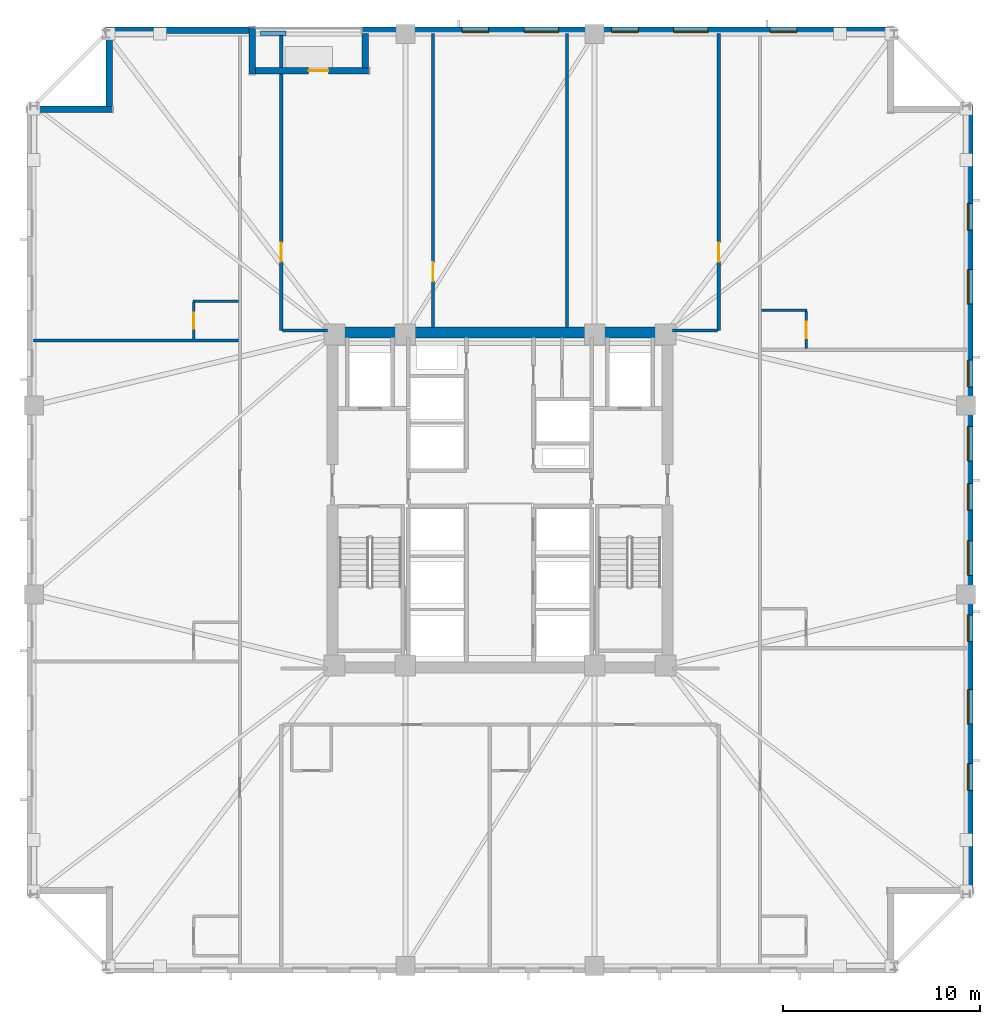
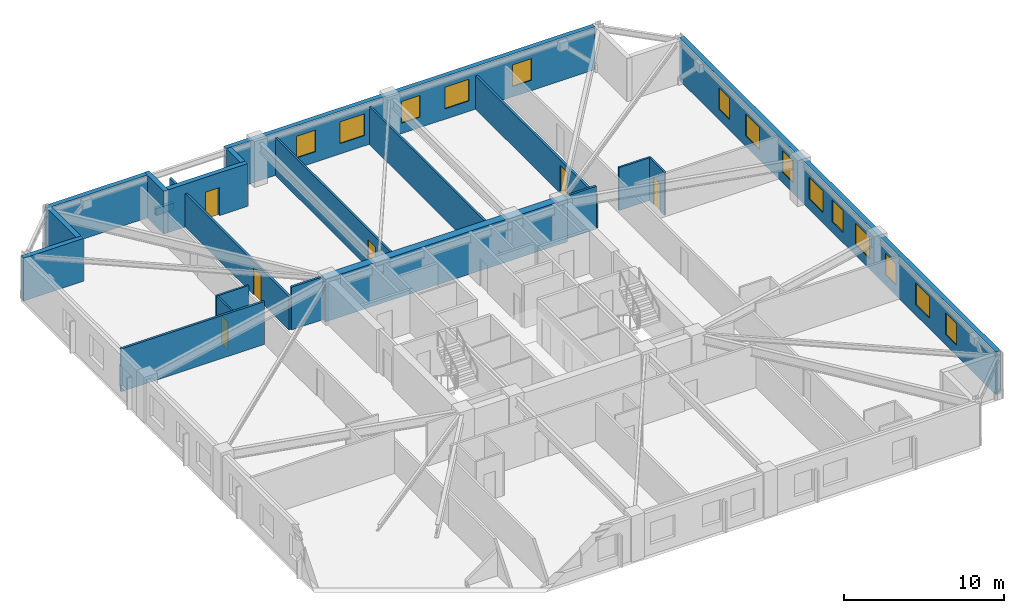
# One storey, part 5 of 11: 21 walls, 14 windows, 6 doors, 20 openings.
"""IFC4 building model written with IfcOpenShell, lengths in metres."""

from ifc_helpers import new_model, si_unit, direction, frame, frame_2d, origin, place, context, subcontext, project, spatial, rectangle, extrude, material, layer, layer_set, type_object, element, fill, save


model = new_model("IFC4")

# Units and contexts
model_context = context("Model", 3, precision=1e-05, world=origin(), true_north=direction((0.0, 1.0)))
body_context = subcontext(model_context, "Body", "Model", "MODEL_VIEW")
ifc_project = project(units=[si_unit("LENGTHUNIT", "METRE"), si_unit("AREAUNIT", "SQUARE_METRE"), si_unit("VOLUMEUNIT", "CUBIC_METRE"), si_unit("PLANEANGLEUNIT", "RADIAN"), si_unit("MASSUNIT", "GRAM", prefix="KILO")], contexts=[model_context])

# Site, building, storey
site_placement = place(None, origin())
site = spatial("IfcSite", under=ifc_project, at=site_placement, CompositionType="ELEMENT")
building_placement = place(site_placement, origin())
building = spatial("IfcBuilding", under=site, at=building_placement, Name="Cairnveth Concourse Tower", CompositionType="ELEMENT")
storey_placement = place(building_placement, frame((0.0, 0.0, 106.0)))
storey = spatial("IfcBuildingStorey", under=building, at=storey_placement, Name="L28", CompositionType="ELEMENT", Elevation=106.0)

# Wall, opening, door
ifc_material_1 = material(Name="Gypsum Plasterboard Partition", Category="gypsum")
ifc_layer_1 = layer(ifc_material_1, 0.159912109375)
ifc_layer_set_1 = layer_set([ifc_layer_1], Name="Gypsum Plasterboard Partition")
wall_type_1 = type_object("IfcWallType", Name="ACOUSTIC PARTY WALL 180", PredefinedType="PARTITIONING", material=ifc_layer_set_1)
wall_1_placement = place(storey_placement, frame((40.89990234375, 47.60009765625, 0.0), z_axis=(0.0, 0.0, 1.0), x_axis=(0.0, 1.0, 0.0)))
wall_1 = element("IfcWall", 1, at=wall_1_placement, inside=storey, type_object=wall_type_1, Name="Interior Wall IW-L28-040", PredefinedType="PARTITIONING", context=body_context, shape_type="SweptSolid", body=[
    extrude(rectangle(XDim=14.98486328125, YDim=0.159912109375, at=frame_2d((7.492431640625, 0.0))), origin(), (0.0, 0.0, 1.0), 2.554931640625),
])
opening_1_placement = place(wall_1_placement, frame((3.5, 0.0, 0.0)))
opening_1 = element("IfcOpeningElement", 2, at=opening_1_placement, cuts=wall_1, Name="Opening ID11", PredefinedType="OPENING", context=body_context, shape_type="SweptSolid", body=[
    extrude(rectangle(XDim=0.9599609375, YDim=2.1201171875, at=frame_2d((0.47998046875, 1.06005859375))), frame((0.0, 0.08984375, 0.0), z_axis=(0.0, -1.0, 0.0), x_axis=(1.0, 0.0, 0.0)), (0.0, 0.0, 1.0), 0.179931640625),
])
ifc_material_2 = material(Name="Solid Core Hardwood Timber Leaf", Category="wood")
door_type_1 = type_object("IfcDoorType", Name="INTERIOR SINGLE DOOR 960X2150", OperationType="NOTDEFINED", PredefinedType="DOOR", material=ifc_material_2)
door_1_placement = place(opening_1_placement, origin())
door_1 = element("IfcDoor", 3, at=door_1_placement, inside=storey, type_object=door_type_1, Name="Interior Door DR-L28-014", OperationType="SINGLE_SWING_RIGHT", OverallHeight=2.1201171875, OverallWidth=0.9599609375, PredefinedType="DOOR", context=body_context, shape_type="SweptSolid", body=[
    extrude(rectangle(XDim=0.9599609375, YDim=2.1201171875, at=frame_2d((0.47998046875, 1.06005859375))), frame((0.0, 0.02490234375, 0.0), z_axis=(0.0, -1.0, 0.0), x_axis=(1.0, 0.0, 0.0)), (0.0, 0.0, 1.0), 0.050048828125),
])
fill(opening_1, door_1)

# Wall
wall_2_placement = place(storey_placement, frame((40.965087890625, 47.60009765625, 0.0), z_axis=(0.0, 0.0, 1.0), x_axis=(1.0, 0.0, 0.0)))
element("IfcWall", 4, at=wall_2_placement, inside=storey, type_object=wall_type_1, Name="Interior Wall IW-L28-042", PredefinedType="PARTITIONING", context=body_context, shape_type="SweptSolid", body=[
    extrude(rectangle(XDim=2.27001953125, YDim=0.159912109375, at=frame_2d((1.135009765625, 0.0))), origin(), (0.0, 0.0, 1.0), 3.280029296875),
])

# Wall, opening, door
wall_3_placement = place(storey_placement, frame((63.10009765625, 47.60009765625, 0.0), z_axis=(0.0, 0.0, 1.0), x_axis=(0.0, 1.0, 0.0)))
wall_3 = element("IfcWall", 5, at=wall_3_placement, inside=storey, type_object=wall_type_1, Name="Interior Wall IW-L28-045", PredefinedType="PARTITIONING", context=body_context, shape_type="SweptSolid", body=[
    extrude(rectangle(XDim=15.074951171875, YDim=0.159912109375, at=frame_2d((7.53759765625, 0.0))), origin(), (0.0, 0.0, 1.0), 2.554931640625),
])
opening_2_placement = place(wall_3_placement, frame((3.5, 0.0, 0.0)))
opening_2 = element("IfcOpeningElement", 6, at=opening_2_placement, cuts=wall_3, Name="Opening ID11", PredefinedType="OPENING", context=body_context, shape_type="SweptSolid", body=[
    extrude(rectangle(XDim=0.9599609375, YDim=2.1201171875, at=frame_2d((0.47998046875, 1.06005859375))), frame((0.0, 0.08984375, 0.0), z_axis=(0.0, -1.0, 0.0), x_axis=(1.0, 0.0, 0.0)), (0.0, 0.0, 1.0), 0.179931640625),
])
door_2_placement = place(opening_2_placement, origin())
door_2 = element("IfcDoor", 7, at=door_2_placement, inside=storey, type_object=door_type_1, Name="Interior Door DR-L28-015", OperationType="SINGLE_SWING_LEFT", OverallHeight=2.1201171875, OverallWidth=0.9599609375, PredefinedType="DOOR", context=body_context, shape_type="SweptSolid", body=[
    extrude(rectangle(XDim=0.9599609375, YDim=2.1201171875, at=frame_2d((0.47998046875, 1.06005859375))), frame((0.0, 0.02490234375, 0.0), z_axis=(0.0, -1.0, 0.0), x_axis=(1.0, 0.0, 0.0)), (0.0, 0.0, 1.0), 0.050048828125),
])
fill(opening_2, door_2)

# Walls
wall_4_placement = place(storey_placement, frame((60.764892578125, 47.60009765625, 0.0), z_axis=(0.0, 0.0, 1.0), x_axis=(1.0, 0.0, 0.0)))
element("IfcWall", 8, at=wall_4_placement, inside=storey, type_object=wall_type_1, Name="Interior Wall IW-L28-047", PredefinedType="PARTITIONING", context=body_context, shape_type="SweptSolid", body=[
    extrude(rectangle(XDim=2.27001953125, YDim=0.159912109375, at=frame_2d((1.135009765625, 0.0))), origin(), (0.0, 0.0, 1.0), 3.280029296875),
])
wall_5_placement = place(storey_placement, frame((28.324951171875, 47.093994140625, 0.0), z_axis=(0.0, 0.0, 1.0), x_axis=(1.0, 0.0, 0.0)))
element("IfcWall", 9, at=wall_5_placement, inside=storey, type_object=wall_type_1, Name="Interior Wall IW-L28-063", PredefinedType="PARTITIONING", context=body_context, shape_type="SweptSolid", body=[
    extrude(rectangle(XDim=10.39501953125, YDim=0.159912109375, at=frame_2d((5.197509765625, 0.0))), origin(), (0.0, 0.0, 1.0), 3.280029296875),
])
ifc_material_3 = material(Name="Concrete N80 (80 MPa)", Category="concrete")
ifc_layer_2 = layer(ifc_material_3, 0.550048828125)
ifc_layer_set_2 = layer_set([ifc_layer_2], Name="Concrete N80 (80 MPa)")
wall_type_2 = type_object("IfcWallType", Name="CORE SHEAR WALL 550", PredefinedType="SHEAR", material=ifc_layer_set_2)
wall_6_placement = place(storey_placement, frame((43.22509765625, 47.5, 0.0), z_axis=(0.0, 0.0, 1.0), x_axis=(1.0, 0.0, 0.0)))
element("IfcWall", 10, at=wall_6_placement, inside=storey, type_object=wall_type_2, Name="Core North Shear Wall L28", PredefinedType="SHEAR", context=body_context, shape_type="SweptSolid", body=[
    extrude(rectangle(XDim=17.5498046875, YDim=0.550048828125, at=frame_2d((8.77490234375, 0.0))), origin(), (0.0, 0.0, 1.0), 3.280029296875),
])

# Wall, opening, door
ifc_layer_3 = layer(ifc_material_1, 0.139892578125)
ifc_layer_set_3 = layer_set([ifc_layer_3], Name="Gypsum Plasterboard Partition")
wall_type_3 = type_object("IfcWallType", Name="GYPSUM STUD PARTITION 140", PredefinedType="PARTITIONING", material=ifc_layer_set_3)
wall_7_placement = place(storey_placement, frame((48.60009765625, 47.760009765625, 0.0), z_axis=(0.0, 0.0, 1.0), x_axis=(0.0, 1.0, 0.0)))
wall_7 = element("IfcWall", 11, at=wall_7_placement, inside=storey, type_object=wall_type_3, Name="Interior Wall IW-L28-049", PredefinedType="PARTITIONING", context=body_context, shape_type="SweptSolid", body=[
    extrude(rectangle(XDim=14.9150390625, YDim=0.139892578125, at=frame_2d((7.45751953125, 0.0))), origin(), (0.0, 0.0, 1.0), 2.89599609375),
])
opening_3_placement = place(wall_7_placement, frame((2.340087890625, 0.0, 0.0)))
opening_3 = element("IfcOpeningElement", 12, at=opening_3_placement, cuts=wall_7, Name="Opening ID11", PredefinedType="OPENING", context=body_context, shape_type="SweptSolid", body=[
    extrude(rectangle(XDim=0.9599609375, YDim=2.1201171875, at=frame_2d((0.47998046875, 1.06005859375))), frame((0.0, 0.079833984375, 0.0), z_axis=(0.0, -1.0, 0.0), x_axis=(1.0, 0.0, 0.0)), (0.0, 0.0, 1.0), 0.159912109375),
])
door_3_placement = place(opening_3_placement, origin())
door_3 = element("IfcDoor", 13, at=door_3_placement, inside=storey, type_object=door_type_1, Name="Interior Door DR-L28-016", OperationType="SINGLE_SWING_RIGHT", OverallHeight=2.1201171875, OverallWidth=0.9599609375, PredefinedType="DOOR", context=body_context, shape_type="SweptSolid", body=[
    extrude(rectangle(XDim=0.9599609375, YDim=2.1201171875, at=frame_2d((0.47998046875, 1.06005859375))), frame((0.0, 0.02490234375, 0.0), z_axis=(0.0, -1.0, 0.0), x_axis=(1.0, 0.0, 0.0)), (0.0, 0.0, 1.0), 0.050048828125),
])
fill(opening_3, door_3)

# Walls
wall_8_placement = place(storey_placement, frame((55.39990234375, 47.760009765625, 0.0), z_axis=(0.0, 0.0, 1.0), x_axis=(0.0, 1.0, 0.0)))
element("IfcWall", 14, at=wall_8_placement, inside=storey, type_object=wall_type_3, Name="Interior Wall IW-L28-050", PredefinedType="PARTITIONING", context=body_context, shape_type="SweptSolid", body=[
    extrude(rectangle(XDim=14.9150390625, YDim=0.139892578125, at=frame_2d((7.45751953125, 0.0))), origin(), (0.0, 0.0, 1.0), 2.89599609375),
])
ifc_material_4 = material(Name="Dressed Melbourne Bluestone Cladding", Category="masonry")
ifc_layer_4 = layer(ifc_material_4, 0.219970703125)
ifc_layer_set_4 = layer_set([ifc_layer_4], Name="Dressed Melbourne Bluestone Cladding")
wall_type_4 = type_object("IfcWallType", Name="TERRACE PLANTER CURB WALL 220", PredefinedType="PARAPET", material=ifc_layer_set_4)
wall_9_placement = place(storey_placement, frame((39.85009765625, 62.679931640625, 0.0), z_axis=(0.0, 0.0, 1.0), x_axis=(1.0, 0.0, 0.0)))
element("IfcWall", 15, at=wall_9_placement, inside=storey, type_object=wall_type_4, Name="Exterior Wall PLNT-L28-TERR", PredefinedType="PARAPET", context=body_context, shape_type="SweptSolid", body=[
    extrude(rectangle(XDim=1.2998046875, YDim=0.219970703125, at=frame_2d((0.64990234375, 0.0))), origin(), (0.0, 0.0, 1.0), 0.550048828125),
])
ifc_layer_5 = layer(ifc_material_1, 0.1298828125)
ifc_layer_set_5 = layer_set([ifc_layer_5], Name="Gypsum Plasterboard Partition")
wall_type_5 = type_object("IfcWallType", Name="WET AREA PARTITION 140", PredefinedType="PLUMBINGWALL", material=ifc_layer_set_5)
wall_10_placement = place(storey_placement, frame((36.419921875, 49.093994140625, 0.0), z_axis=(0.0, 0.0, 1.0), x_axis=(1.0, 0.0, 0.0)))
element("IfcWall", 16, at=wall_10_placement, inside=storey, type_object=wall_type_5, Name="Interior Wall IW-L28-064", PredefinedType="PLUMBINGWALL", context=body_context, shape_type="SweptSolid", body=[
    extrude(rectangle(XDim=2.315185546875, YDim=0.1298828125, at=frame_2d((1.15771484375, 0.0))), origin(), (0.0, 0.0, 1.0), 3.280029296875),
])

# Wall, opening, door
wall_11_placement = place(storey_placement, frame((36.469970703125, 47.158935546875, 0.0), z_axis=(0.0, 0.0, 1.0), x_axis=(0.0, 1.0, 0.0)))
wall_11 = element("IfcWall", 17, at=wall_11_placement, inside=storey, type_object=wall_type_5, Name="Interior Wall IW-L28-065", PredefinedType="PLUMBINGWALL", context=body_context, shape_type="SweptSolid", body=[
    extrude(rectangle(XDim=1.885009765625, YDim=0.1298828125, at=frame_2d((0.9423828125, 0.0))), origin(), (0.0, 0.0, 1.0), 3.280029296875),
])
opening_4_placement = place(wall_11_placement, frame((0.52490234375, 0.0, 0.0)))
opening_4 = element("IfcOpeningElement", 18, at=opening_4_placement, cuts=wall_11, Name="Opening ID22", PredefinedType="OPENING", context=body_context, shape_type="SweptSolid", body=[
    extrude(rectangle(XDim=0.820068359375, YDim=2.10009765625, at=frame_2d((0.41015625, 1.050048828125))), frame((0.0, 0.074951171875, 0.0), z_axis=(0.0, -1.0, 0.0), x_axis=(1.0, 0.0, 0.0)), (0.0, 0.0, 1.0), 0.14990234375),
])
door_type_2 = type_object("IfcDoorType", Name="INTERIOR WC DOOR 820X2100", OperationType="NOTDEFINED", PredefinedType="DOOR", material=ifc_material_2)
door_4_placement = place(opening_4_placement, origin())
door_4 = element("IfcDoor", 19, at=door_4_placement, inside=storey, type_object=door_type_2, Name="En-Suite Door L28-W3", OperationType="SINGLE_SWING_LEFT", OverallHeight=2.10009765625, OverallWidth=0.820068359375, PredefinedType="DOOR", context=body_context, shape_type="SweptSolid", body=[
    extrude(rectangle(XDim=0.820068359375, YDim=2.10009765625, at=frame_2d((0.41015625, 1.050048828125))), frame((0.0, 0.02490234375, 0.0), z_axis=(0.0, -1.0, 0.0), x_axis=(1.0, 0.0, 0.0)), (0.0, 0.0, 1.0), 0.050048828125),
])
fill(opening_4, door_4)

# Wall
wall_12_placement = place(storey_placement, frame((65.264892578125, 48.6259765625, 0.0), z_axis=(0.0, 0.0, 1.0), x_axis=(1.0, 0.0, 0.0)))
element("IfcWall", 20, at=wall_12_placement, inside=storey, type_object=wall_type_5, Name="Interior Wall IW-L28-073", PredefinedType="PLUMBINGWALL", context=body_context, shape_type="SweptSolid", body=[
    extrude(rectangle(XDim=2.315185546875, YDim=0.1298828125, at=frame_2d((1.15771484375, 0.0))), origin(), (0.0, 0.0, 1.0), 3.280029296875),
])

# Wall, opening, door
wall_13_placement = place(storey_placement, frame((67.530029296875, 46.69091796875, 0.0), z_axis=(0.0, 0.0, 1.0), x_axis=(0.0, 1.0, 0.0)))
wall_13 = element("IfcWall", 21, at=wall_13_placement, inside=storey, type_object=wall_type_5, Name="Interior Wall IW-L28-074", PredefinedType="PLUMBINGWALL", context=body_context, shape_type="SweptSolid", body=[
    extrude(rectangle(XDim=1.885009765625, YDim=0.1298828125, at=frame_2d((0.9423828125, 0.0))), origin(), (0.0, 0.0, 1.0), 3.280029296875),
])
opening_5_placement = place(wall_13_placement, frame((0.52490234375, 0.0, 0.0)))
opening_5 = element("IfcOpeningElement", 22, at=opening_5_placement, cuts=wall_13, Name="Opening ID22", PredefinedType="OPENING", context=body_context, shape_type="SweptSolid", body=[
    extrude(rectangle(XDim=0.820068359375, YDim=2.10009765625, at=frame_2d((0.41015625, 1.050048828125))), frame((0.0, 0.074951171875, 0.0), z_axis=(0.0, -1.0, 0.0), x_axis=(1.0, 0.0, 0.0)), (0.0, 0.0, 1.0), 0.14990234375),
])
door_5_placement = place(opening_5_placement, origin())
door_5 = element("IfcDoor", 23, at=door_5_placement, inside=storey, type_object=door_type_2, Name="En-Suite Door L28-E3", OperationType="SINGLE_SWING_LEFT", OverallHeight=2.10009765625, OverallWidth=0.820068359375, PredefinedType="DOOR", context=body_context, shape_type="SweptSolid", body=[
    extrude(rectangle(XDim=0.820068359375, YDim=2.10009765625, at=frame_2d((0.41015625, 1.050048828125))), frame((0.0, 0.02490234375, 0.0), z_axis=(0.0, -1.0, 0.0), x_axis=(1.0, 0.0, 0.0)), (0.0, 0.0, 1.0), 0.050048828125),
])
fill(opening_5, door_5)

# Wall, openings, windows
ifc_material_5 = material(Name="Hawthorn Red-Ochre Fired Clay Brick Masonry", Category="masonry")
ifc_layer_6 = layer(ifc_material_5, 0.340087890625)
ifc_layer_set_6 = layer_set([ifc_layer_6], Name="Hawthorn Red-Ochre Fired Clay Brick Masonry")
wall_type_6 = type_object("IfcWallType", Name="ZONE 2 BRICK PIER SPANDREL WALL 340", PredefinedType="SOLIDWALL", material=ifc_layer_set_6)
wall_14_placement = place(storey_placement, frame((45.0, 62.830078125, 0.0), z_axis=(0.0, 0.0, 1.0), x_axis=(1.0, 0.0, 0.0)))
wall_14 = element("IfcWall", 24, at=wall_14_placement, inside=storey, type_object=wall_type_6, Name="Exterior Wall EW-L28-S00", PredefinedType="SOLIDWALL", context=body_context, shape_type="SweptSolid", body=[
    extrude(rectangle(XDim=26.681884765625, YDim=0.340087890625, at=frame_2d((13.3408203125, 0.0))), origin(), (0.0, 0.0, 1.0), 3.280029296875),
])
opening_6_placement = place(wall_14_placement, frame((5.0732421875, 0.0, 0.800048828125)))
opening_6 = element("IfcOpeningElement", 25, at=opening_6_placement, cuts=wall_14, Name="Opening W02", PredefinedType="OPENING", context=body_context, shape_type="SweptSolid", body=[
    extrude(rectangle(XDim=1.35009765625, YDim=1.659912109375, at=frame_2d((0.675048828125, 0.830078125))), frame((0.0, 0.179931640625, 0.0), z_axis=(0.0, -1.0, 0.0), x_axis=(1.0, 0.0, 0.0)), (0.0, 0.0, 1.0), 0.360107421875),
])
opening_7_placement = place(wall_14_placement, frame((8.219482421875, 0.0, 0.800048828125)))
opening_7 = element("IfcOpeningElement", 26, at=opening_7_placement, cuts=wall_14, Name="Opening W06", PredefinedType="OPENING", context=body_context, shape_type="SweptSolid", body=[
    extrude(rectangle(XDim=1.75, YDim=1.659912109375, at=frame_2d((0.875, 0.830078125))), frame((0.0, 0.179931640625, 0.0), z_axis=(0.0, -1.0, 0.0), x_axis=(1.0, 0.0, 0.0)), (0.0, 0.0, 1.0), 0.360107421875),
])
opening_8_placement = place(wall_14_placement, frame((12.666015625, 0.0, 0.800048828125)))
opening_8 = element("IfcOpeningElement", 27, at=opening_8_placement, cuts=wall_14, Name="Opening W02", PredefinedType="OPENING", context=body_context, shape_type="SweptSolid", body=[
    extrude(rectangle(XDim=1.35009765625, YDim=1.659912109375, at=frame_2d((0.675048828125, 0.830078125))), frame((0.0, 0.179931640625, 0.0), z_axis=(0.0, -1.0, 0.0), x_axis=(1.0, 0.0, 0.0)), (0.0, 0.0, 1.0), 0.360107421875),
])
opening_9_placement = place(wall_14_placement, frame((15.8125, 0.0, 0.800048828125)))
opening_9 = element("IfcOpeningElement", 28, at=opening_9_placement, cuts=wall_14, Name="Opening W06", PredefinedType="OPENING", context=body_context, shape_type="SweptSolid", body=[
    extrude(rectangle(XDim=1.75, YDim=1.659912109375, at=frame_2d((0.875, 0.830078125))), frame((0.0, 0.179931640625, 0.0), z_axis=(0.0, -1.0, 0.0), x_axis=(1.0, 0.0, 0.0)), (0.0, 0.0, 1.0), 0.360107421875),
])
opening_10_placement = place(wall_14_placement, frame((20.708740234375, 0.0, 0.800048828125)))
opening_10 = element("IfcOpeningElement", 29, at=opening_10_placement, cuts=wall_14, Name="Opening W02", PredefinedType="OPENING", context=body_context, shape_type="SweptSolid", body=[
    extrude(rectangle(XDim=1.35009765625, YDim=1.659912109375, at=frame_2d((0.675048828125, 0.830078125))), frame((0.0, 0.179931640625, 0.0), z_axis=(0.0, -1.0, 0.0), x_axis=(1.0, 0.0, 0.0)), (0.0, 0.0, 1.0), 0.360107421875),
])
ifc_material_6 = material(Name="Double Glazed Low-E Clear Glass", Category="glass")
window_type_1 = type_object("IfcWindowType", Name="DEEP-SET GOTHIC LANCET WINDOW 1350X1800", PartitioningType="DOUBLE_PANEL_VERTICAL", PredefinedType="WINDOW", material=ifc_material_6)
window_1_placement = place(opening_6_placement, origin())
window_1 = element("IfcWindow", 30, at=window_1_placement, inside=storey, type_object=window_type_1, Name="Gothic Lancet Window L28-0-1", OverallHeight=1.659912109375, OverallWidth=1.35009765625, PartitioningType="SINGLE_PANEL", PredefinedType="WINDOW", context=body_context, shape_type="SweptSolid", body=[
    extrude(rectangle(XDim=1.35009765625, YDim=1.659912109375, at=frame_2d((0.675048828125, 0.830078125))), frame((0.0, -0.050048828125, 0.0), z_axis=(0.0, -1.0, 0.0), x_axis=(1.0, 0.0, 0.0)), (0.0, 0.0, 1.0), 0.06005859375),
])
fill(opening_6, window_1)
window_2_placement = place(opening_8_placement, origin())
window_2 = element("IfcWindow", 31, at=window_2_placement, inside=storey, type_object=window_type_1, Name="Gothic Lancet Window L28-0-3", OverallHeight=1.659912109375, OverallWidth=1.35009765625, PartitioningType="SINGLE_PANEL", PredefinedType="WINDOW", context=body_context, shape_type="SweptSolid", body=[
    extrude(rectangle(XDim=1.35009765625, YDim=1.659912109375, at=frame_2d((0.675048828125, 0.830078125))), frame((0.0, -0.050048828125, 0.0), z_axis=(0.0, -1.0, 0.0), x_axis=(1.0, 0.0, 0.0)), (0.0, 0.0, 1.0), 0.06005859375),
])
fill(opening_8, window_2)
window_3_placement = place(opening_10_placement, origin())
window_3 = element("IfcWindow", 32, at=window_3_placement, inside=storey, type_object=window_type_1, Name="Gothic Lancet Window L28-0-5", OverallHeight=1.659912109375, OverallWidth=1.35009765625, PartitioningType="SINGLE_PANEL", PredefinedType="WINDOW", context=body_context, shape_type="SweptSolid", body=[
    extrude(rectangle(XDim=1.35009765625, YDim=1.659912109375, at=frame_2d((0.675048828125, 0.830078125))), frame((0.0, -0.050048828125, 0.0), z_axis=(0.0, -1.0, 0.0), x_axis=(1.0, 0.0, 0.0)), (0.0, 0.0, 1.0), 0.06005859375),
])
fill(opening_10, window_3)
window_type_2 = type_object("IfcWindowType", Name="DEEP-SET HOTEL SUITE WINDOW 1750X1800", PartitioningType="DOUBLE_PANEL_VERTICAL", PredefinedType="WINDOW", material=ifc_material_6)
window_4_placement = place(opening_7_placement, origin())
window_4 = element("IfcWindow", 33, at=window_4_placement, inside=storey, type_object=window_type_2, Name="Gothic Lancet Window L28-0-2", OverallHeight=1.659912109375, OverallWidth=1.75, PartitioningType="SINGLE_PANEL", PredefinedType="WINDOW", context=body_context, shape_type="SweptSolid", body=[
    extrude(rectangle(XDim=1.75, YDim=1.659912109375, at=frame_2d((0.875, 0.830078125))), frame((0.0, -0.050048828125, 0.0), z_axis=(0.0, -1.0, 0.0), x_axis=(1.0, 0.0, 0.0)), (0.0, 0.0, 1.0), 0.06005859375),
])
fill(opening_7, window_4)
window_5_placement = place(opening_9_placement, origin())
window_5 = element("IfcWindow", 34, at=window_5_placement, inside=storey, type_object=window_type_2, Name="Gothic Lancet Window L28-0-4", OverallHeight=1.659912109375, OverallWidth=1.75, PartitioningType="SINGLE_PANEL", PredefinedType="WINDOW", context=body_context, shape_type="SweptSolid", body=[
    extrude(rectangle(XDim=1.75, YDim=1.659912109375, at=frame_2d((0.875, 0.830078125))), frame((0.0, -0.050048828125, 0.0), z_axis=(0.0, -1.0, 0.0), x_axis=(1.0, 0.0, 0.0)), (0.0, 0.0, 1.0), 0.06005859375),
])
fill(opening_9, window_5)

wall_15_placement = place(storey_placement, frame((75.830078125, 59.0, 0.0), z_axis=(0.0, 0.0, 1.0), x_axis=(0.0, -1.0, 0.0)))
wall_15 = element("IfcWall", 35, at=wall_15_placement, inside=storey, type_object=wall_type_6, Name="Exterior Wall EW-L28-S03", PredefinedType="SOLIDWALL", context=body_context, shape_type="SweptSolid", body=[
    extrude(rectangle(XDim=39.681884765625, YDim=0.340087890625, at=frame_2d((19.8408203125, 0.0))), origin(), (0.0, 0.0, 1.0), 3.280029296875),
])
opening_11_placement = place(wall_15_placement, frame((4.951904296875, 0.0, 0.800048828125)))
opening_11 = element("IfcOpeningElement", 36, at=opening_11_placement, cuts=wall_15, Name="Opening W02", PredefinedType="OPENING", context=body_context, shape_type="SweptSolid", body=[
    extrude(rectangle(XDim=1.35009765625, YDim=1.659912109375, at=frame_2d((0.675048828125, 0.830078125))), frame((0.0, 0.179931640625, 0.0), z_axis=(0.0, -1.0, 0.0), x_axis=(1.0, 0.0, 0.0)), (0.0, 0.0, 1.0), 0.360107421875),
])
opening_12_placement = place(wall_15_placement, frame((8.305419921875, 0.0, 0.800048828125)))
opening_12 = element("IfcOpeningElement", 37, at=opening_12_placement, cuts=wall_15, Name="Opening W06", PredefinedType="OPENING", context=body_context, shape_type="SweptSolid", body=[
    extrude(rectangle(XDim=1.75, YDim=1.659912109375, at=frame_2d((0.875, 0.830078125))), frame((0.0, 0.179931640625, 0.0), z_axis=(0.0, -1.0, 0.0), x_axis=(1.0, 0.0, 0.0)), (0.0, 0.0, 1.0), 0.360107421875),
])
opening_13_placement = place(wall_15_placement, frame((12.908935546875, 0.0, 0.800048828125)))
opening_13 = element("IfcOpeningElement", 38, at=opening_13_placement, cuts=wall_15, Name="Opening W02", PredefinedType="OPENING", context=body_context, shape_type="SweptSolid", body=[
    extrude(rectangle(XDim=1.35009765625, YDim=1.659912109375, at=frame_2d((0.675048828125, 0.830078125))), frame((0.0, 0.179931640625, 0.0), z_axis=(0.0, -1.0, 0.0), x_axis=(1.0, 0.0, 0.0)), (0.0, 0.0, 1.0), 0.360107421875),
])
opening_14_placement = place(wall_15_placement, frame((16.262451171875, 0.0, 0.800048828125)))
opening_14 = element("IfcOpeningElement", 39, at=opening_14_placement, cuts=wall_15, Name="Opening W06", PredefinedType="OPENING", context=body_context, shape_type="SweptSolid", body=[
    extrude(rectangle(XDim=1.75, YDim=1.659912109375, at=frame_2d((0.875, 0.830078125))), frame((0.0, 0.179931640625, 0.0), z_axis=(0.0, -1.0, 0.0), x_axis=(1.0, 0.0, 0.0)), (0.0, 0.0, 1.0), 0.360107421875),
])
opening_15_placement = place(wall_15_placement, frame((19.166015625, 0.0, 0.800048828125)))
opening_15 = element("IfcOpeningElement", 40, at=opening_15_placement, cuts=wall_15, Name="Opening W02", PredefinedType="OPENING", context=body_context, shape_type="SweptSolid", body=[
    extrude(rectangle(XDim=1.35009765625, YDim=1.659912109375, at=frame_2d((0.675048828125, 0.830078125))), frame((0.0, 0.179931640625, 0.0), z_axis=(0.0, -1.0, 0.0), x_axis=(1.0, 0.0, 0.0)), (0.0, 0.0, 1.0), 0.360107421875),
])
opening_16_placement = place(wall_15_placement, frame((22.069580078125, 0.0, 0.800048828125)))
opening_16 = element("IfcOpeningElement", 41, at=opening_16_placement, cuts=wall_15, Name="Opening W06", PredefinedType="OPENING", context=body_context, shape_type="SweptSolid", body=[
    extrude(rectangle(XDim=1.75, YDim=1.659912109375, at=frame_2d((0.875, 0.830078125))), frame((0.0, 0.179931640625, 0.0), z_axis=(0.0, -1.0, 0.0), x_axis=(1.0, 0.0, 0.0)), (0.0, 0.0, 1.0), 0.360107421875),
])
opening_17_placement = place(wall_15_placement, frame((25.822998046875, 0.0, 0.800048828125)))
opening_17 = element("IfcOpeningElement", 42, at=opening_17_placement, cuts=wall_15, Name="Opening W02", PredefinedType="OPENING", context=body_context, shape_type="SweptSolid", body=[
    extrude(rectangle(XDim=1.35009765625, YDim=1.659912109375, at=frame_2d((0.675048828125, 0.830078125))), frame((0.0, 0.179931640625, 0.0), z_axis=(0.0, -1.0, 0.0), x_axis=(1.0, 0.0, 0.0)), (0.0, 0.0, 1.0), 0.360107421875),
])
opening_18_placement = place(wall_15_placement, frame((29.626708984375, 0.0, 0.800048828125)))
opening_18 = element("IfcOpeningElement", 43, at=opening_18_placement, cuts=wall_15, Name="Opening W06", PredefinedType="OPENING", context=body_context, shape_type="SweptSolid", body=[
    extrude(rectangle(XDim=1.75, YDim=1.659912109375, at=frame_2d((0.875, 0.830078125))), frame((0.0, 0.179931640625, 0.0), z_axis=(0.0, -1.0, 0.0), x_axis=(1.0, 0.0, 0.0)), (0.0, 0.0, 1.0), 0.360107421875),
])
opening_19_placement = place(wall_15_placement, frame((33.380126953125, 0.0, 0.800048828125)))
opening_19 = element("IfcOpeningElement", 44, at=opening_19_placement, cuts=wall_15, Name="Opening W02", PredefinedType="OPENING", context=body_context, shape_type="SweptSolid", body=[
    extrude(rectangle(XDim=1.35009765625, YDim=1.659912109375, at=frame_2d((0.675048828125, 0.830078125))), frame((0.0, 0.179931640625, 0.0), z_axis=(0.0, -1.0, 0.0), x_axis=(1.0, 0.0, 0.0)), (0.0, 0.0, 1.0), 0.360107421875),
])
window_6_placement = place(opening_11_placement, origin())
window_6 = element("IfcWindow", 45, at=window_6_placement, inside=storey, type_object=window_type_1, Name="Gothic Lancet Window L28-3-1", OverallHeight=1.659912109375, OverallWidth=1.35009765625, PartitioningType="SINGLE_PANEL", PredefinedType="WINDOW", context=body_context, shape_type="SweptSolid", body=[
    extrude(rectangle(XDim=1.35009765625, YDim=1.659912109375, at=frame_2d((0.675048828125, 0.830078125))), frame((0.0, -0.050048828125, 0.0), z_axis=(0.0, -1.0, 0.0), x_axis=(1.0, 0.0, 0.0)), (0.0, 0.0, 1.0), 0.06005859375),
])
fill(opening_11, window_6)
window_7_placement = place(opening_13_placement, origin())
window_7 = element("IfcWindow", 46, at=window_7_placement, inside=storey, type_object=window_type_1, Name="Gothic Lancet Window L28-3-3", OverallHeight=1.659912109375, OverallWidth=1.35009765625, PartitioningType="SINGLE_PANEL", PredefinedType="WINDOW", context=body_context, shape_type="SweptSolid", body=[
    extrude(rectangle(XDim=1.35009765625, YDim=1.659912109375, at=frame_2d((0.675048828125, 0.830078125))), frame((0.0, -0.050048828125, 0.0), z_axis=(0.0, -1.0, 0.0), x_axis=(1.0, 0.0, 0.0)), (0.0, 0.0, 1.0), 0.06005859375),
])
fill(opening_13, window_7)
window_8_placement = place(opening_15_placement, origin())
window_8 = element("IfcWindow", 47, at=window_8_placement, inside=storey, type_object=window_type_1, Name="Gothic Lancet Window L28-3-5", OverallHeight=1.659912109375, OverallWidth=1.35009765625, PartitioningType="SINGLE_PANEL", PredefinedType="WINDOW", context=body_context, shape_type="SweptSolid", body=[
    extrude(rectangle(XDim=1.35009765625, YDim=1.659912109375, at=frame_2d((0.675048828125, 0.830078125))), frame((0.0, -0.050048828125, 0.0), z_axis=(0.0, -1.0, 0.0), x_axis=(1.0, 0.0, 0.0)), (0.0, 0.0, 1.0), 0.06005859375),
])
fill(opening_15, window_8)
window_9_placement = place(opening_17_placement, origin())
window_9 = element("IfcWindow", 48, at=window_9_placement, inside=storey, type_object=window_type_1, Name="Gothic Lancet Window L28-3-7", OverallHeight=1.659912109375, OverallWidth=1.35009765625, PartitioningType="SINGLE_PANEL", PredefinedType="WINDOW", context=body_context, shape_type="SweptSolid", body=[
    extrude(rectangle(XDim=1.35009765625, YDim=1.659912109375, at=frame_2d((0.675048828125, 0.830078125))), frame((0.0, -0.050048828125, 0.0), z_axis=(0.0, -1.0, 0.0), x_axis=(1.0, 0.0, 0.0)), (0.0, 0.0, 1.0), 0.06005859375),
])
fill(opening_17, window_9)
window_10_placement = place(opening_19_placement, origin())
window_10 = element("IfcWindow", 49, at=window_10_placement, inside=storey, type_object=window_type_1, Name="Gothic Lancet Window L28-3-9", OverallHeight=1.659912109375, OverallWidth=1.35009765625, PartitioningType="SINGLE_PANEL", PredefinedType="WINDOW", context=body_context, shape_type="SweptSolid", body=[
    extrude(rectangle(XDim=1.35009765625, YDim=1.659912109375, at=frame_2d((0.675048828125, 0.830078125))), frame((0.0, -0.050048828125, 0.0), z_axis=(0.0, -1.0, 0.0), x_axis=(1.0, 0.0, 0.0)), (0.0, 0.0, 1.0), 0.06005859375),
])
fill(opening_19, window_10)
window_11_placement = place(opening_12_placement, origin())
window_11 = element("IfcWindow", 50, at=window_11_placement, inside=storey, type_object=window_type_2, Name="Gothic Lancet Window L28-3-2", OverallHeight=1.659912109375, OverallWidth=1.75, PartitioningType="SINGLE_PANEL", PredefinedType="WINDOW", context=body_context, shape_type="SweptSolid", body=[
    extrude(rectangle(XDim=1.75, YDim=1.659912109375, at=frame_2d((0.875, 0.830078125))), frame((0.0, -0.050048828125, 0.0), z_axis=(0.0, -1.0, 0.0), x_axis=(1.0, 0.0, 0.0)), (0.0, 0.0, 1.0), 0.06005859375),
])
fill(opening_12, window_11)
window_12_placement = place(opening_14_placement, origin())
window_12 = element("IfcWindow", 51, at=window_12_placement, inside=storey, type_object=window_type_2, Name="Gothic Lancet Window L28-3-4", OverallHeight=1.659912109375, OverallWidth=1.75, PartitioningType="SINGLE_PANEL", PredefinedType="WINDOW", context=body_context, shape_type="SweptSolid", body=[
    extrude(rectangle(XDim=1.75, YDim=1.659912109375, at=frame_2d((0.875, 0.830078125))), frame((0.0, -0.050048828125, 0.0), z_axis=(0.0, -1.0, 0.0), x_axis=(1.0, 0.0, 0.0)), (0.0, 0.0, 1.0), 0.06005859375),
])
fill(opening_14, window_12)
window_13_placement = place(opening_16_placement, origin())
window_13 = element("IfcWindow", 52, at=window_13_placement, inside=storey, type_object=window_type_2, Name="Gothic Lancet Window L28-3-6", OverallHeight=1.659912109375, OverallWidth=1.75, PartitioningType="SINGLE_PANEL", PredefinedType="WINDOW", context=body_context, shape_type="SweptSolid", body=[
    extrude(rectangle(XDim=1.75, YDim=1.659912109375, at=frame_2d((0.875, 0.830078125))), frame((0.0, -0.050048828125, 0.0), z_axis=(0.0, -1.0, 0.0), x_axis=(1.0, 0.0, 0.0)), (0.0, 0.0, 1.0), 0.06005859375),
])
fill(opening_16, window_13)
window_14_placement = place(opening_18_placement, origin())
window_14 = element("IfcWindow", 53, at=window_14_placement, inside=storey, type_object=window_type_2, Name="Gothic Lancet Window L28-3-8", OverallHeight=1.659912109375, OverallWidth=1.75, PartitioningType="SINGLE_PANEL", PredefinedType="WINDOW", context=body_context, shape_type="SweptSolid", body=[
    extrude(rectangle(XDim=1.75, YDim=1.659912109375, at=frame_2d((0.875, 0.830078125))), frame((0.0, -0.050048828125, 0.0), z_axis=(0.0, -1.0, 0.0), x_axis=(1.0, 0.0, 0.0)), (0.0, 0.0, 1.0), 0.06005859375),
])
fill(opening_18, window_14)

# Walls
wall_16_placement = place(storey_placement, frame((28.0, 58.830078125, 0.0), z_axis=(0.0, 0.0, 1.0), x_axis=(1.0, 0.0, 0.0)))
element("IfcWall", 54, at=wall_16_placement, inside=storey, type_object=wall_type_6, Name="Exterior Wall EW-L28-S10", PredefinedType="SOLIDWALL", context=body_context, shape_type="SweptSolid", body=[
    extrude(rectangle(XDim=4.340087890625, YDim=0.340087890625, at=frame_2d((2.169921875, 0.0))), origin(), (0.0, 0.0, 1.0), 3.280029296875),
])
wall_17_placement = place(storey_placement, frame((32.169921875, 58.97802734375, 0.0), z_axis=(0.0, 0.0, 1.0), x_axis=(0.0, 1.0, 0.0)))
element("IfcWall", 55, at=wall_17_placement, inside=storey, type_object=wall_type_6, Name="Exterior Wall EW-L28-S11", PredefinedType="SOLIDWALL", context=body_context, shape_type="SweptSolid", body=[
    extrude(rectangle(XDim=3.703857421875, YDim=0.340087890625, at=frame_2d((1.85205078125, 0.0))), origin(), (0.0, 0.0, 1.0), 3.280029296875),
])
wall_18_placement = place(storey_placement, frame((32.0, 62.830078125, 0.0), z_axis=(0.0, 0.0, 1.0), x_axis=(1.0, 0.0, 0.0)))
element("IfcWall", 56, at=wall_18_placement, inside=storey, type_object=wall_type_6, Name="Exterior Wall EW-L28-S12", PredefinedType="SOLIDWALL", context=body_context, shape_type="SweptSolid", body=[
    extrude(rectangle(XDim=7.281982421875, YDim=0.340087890625, at=frame_2d((3.64111328125, 0.0))), origin(), (0.0, 0.0, 1.0), 3.280029296875),
])
wall_19_placement = place(storey_placement, frame((39.429931640625, 63.0, 0.0), z_axis=(0.0, 0.0, 1.0), x_axis=(0.0, -1.0, 0.0)))
element("IfcWall", 57, at=wall_19_placement, inside=storey, type_object=wall_type_6, Name="Exterior Wall EW-L28-S13", PredefinedType="SOLIDWALL", context=body_context, shape_type="SweptSolid", body=[
    extrude(rectangle(XDim=2.389892578125, YDim=0.340087890625, at=frame_2d((1.19482421875, 0.0))), origin(), (0.0, 0.0, 1.0), 3.280029296875),
])

# Wall, opening, door
wall_20_placement = place(storey_placement, frame((39.577880859375, 60.780029296875, 0.0), z_axis=(0.0, 0.0, 1.0), x_axis=(1.0, 0.0, 0.0)))
wall_20 = element("IfcWall", 58, at=wall_20_placement, inside=storey, type_object=wall_type_6, Name="Exterior Wall EW-L28-S14", PredefinedType="SOLIDWALL", context=body_context, shape_type="SweptSolid", body=[
    extrude(rectangle(XDim=5.76220703125, YDim=0.340087890625, at=frame_2d((2.881103515625, 0.0))), origin(), (0.0, 0.0, 1.0), 3.280029296875),
])
opening_20_placement = place(wall_20_placement, frame((2.717041015625, 0.0, 0.0)))
opening_20 = element("IfcOpeningElement", 59, at=opening_20_placement, cuts=wall_20, Name="Opening ED4", PredefinedType="OPENING", context=body_context, shape_type="SweptSolid", body=[
    extrude(rectangle(XDim=1.0, YDim=2.14990234375, at=frame_2d((0.5, 1.074951171875))), frame((0.0, 0.179931640625, 0.0), z_axis=(0.0, -1.0, 0.0), x_axis=(1.0, 0.0, 0.0)), (0.0, 0.0, 1.0), 0.360107421875),
])
ifc_material_7 = material(Name="Architectural Bronze Anodised Aluminium 6063-T6", Category="aluminium")
door_type_3 = type_object("IfcDoorType", Name="TERRACE GLAZED DOOR 1000X2150", OperationType="NOTDEFINED", PredefinedType="DOOR", material=ifc_material_7)
door_6_placement = place(opening_20_placement, origin())
door_6 = element("IfcDoor", 60, at=door_6_placement, inside=storey, type_object=door_type_3, Name="Spiral Terrace Door L28", OperationType="SINGLE_SWING_LEFT", OverallHeight=2.14990234375, OverallWidth=1.0, PredefinedType="DOOR", context=body_context, shape_type="SweptSolid", body=[
    extrude(rectangle(XDim=1.0, YDim=2.14990234375, at=frame_2d((0.5, 1.074951171875))), frame((0.0, 0.02490234375, 0.0), z_axis=(0.0, -1.0, 0.0), x_axis=(1.0, 0.0, 0.0)), (0.0, 0.0, 1.0), 0.050048828125),
])
fill(opening_20, door_6)

# Wall
wall_21_placement = place(storey_placement, frame((45.169921875, 60.927978515625, 0.0), z_axis=(0.0, 0.0, 1.0), x_axis=(0.0, 1.0, 0.0)))
element("IfcWall", 61, at=wall_21_placement, inside=storey, type_object=wall_type_6, Name="Exterior Wall EW-L28-S15", PredefinedType="SOLIDWALL", context=body_context, shape_type="SweptSolid", body=[
    extrude(rectangle(XDim=1.75390625, YDim=0.340087890625, at=frame_2d((0.876953125, 0.0))), origin(), (0.0, 0.0, 1.0), 3.280029296875),
])

save(model, "model.ifc")
